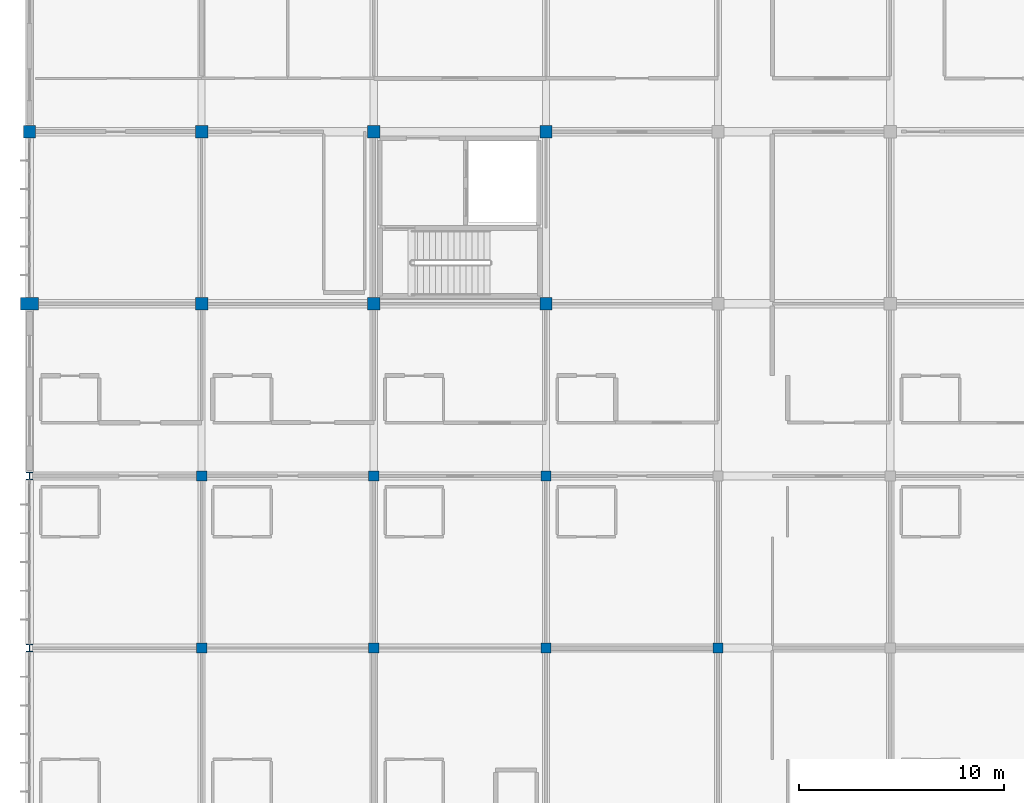
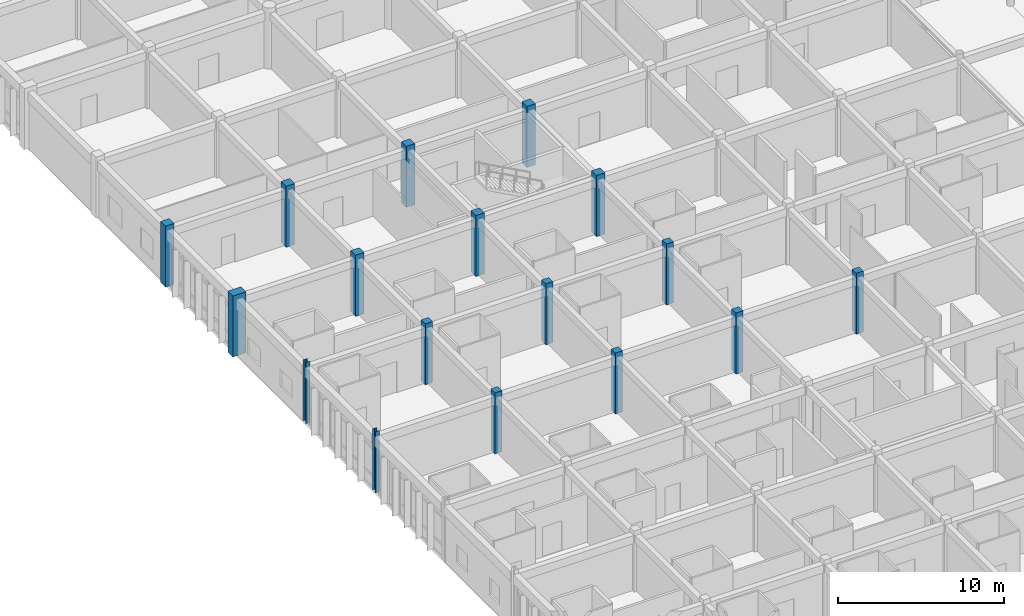
# One storey, part 3 of 144: 17 columns.
"""IFC4 building model written with IfcOpenShell, lengths in metres."""

from ifc_helpers import new_model, si_unit, direction, frame, origin, origin_2d, place, context, subcontext, project, spatial, rectangle, i_section, extrude, material, material_profile, profile_set, type_object, element, save


model = new_model("IFC4")

# Units and contexts
model_context = context("Model", 3, precision=1e-05, world=origin(), true_north=direction((0.0, 1.0)))
body_context = subcontext(model_context, "Body", "Model", "MODEL_VIEW")
ifc_project = project(units=[si_unit("LENGTHUNIT", "METRE"), si_unit("AREAUNIT", "SQUARE_METRE"), si_unit("VOLUMEUNIT", "CUBIC_METRE"), si_unit("PLANEANGLEUNIT", "RADIAN"), si_unit("MASSUNIT", "GRAM", prefix="KILO")], contexts=[model_context])

# Site, building, storey
site_placement = place(None, origin())
site = spatial("IfcSite", under=ifc_project, at=site_placement, CompositionType="ELEMENT")
building_placement = place(site_placement, origin())
building = spatial("IfcBuilding", under=site, at=building_placement, Name="Bramfleet General Hospital", CompositionType="ELEMENT")
storey_placement = place(building_placement, frame((0.0, 0.0, 4.800048828125)))
storey = spatial("IfcBuildingStorey", under=building, at=storey_placement, Name="L01", CompositionType="ELEMENT", Elevation=4.800048828125)

# Columns
ifc_material_1 = material(Name="Steel S355", Category="steel")
ifc_material_profile_1 = material_profile(ifc_material_1, i_section(OverallWidth=0.300048828125, OverallDepth=0.360107421875, WebThickness=0.012451171875, FlangeThickness=0.0224609375, FilletRadius=0.027099609375, at=origin_2d()), Name="HEB 360")
ifc_profile_set_1 = profile_set([ifc_material_profile_1], Name="Steel S355")
column_type_1 = type_object("IfcColumnType", Name="COL-HEB360", PredefinedType="COLUMN", material=ifc_profile_set_1)
for number, where, z_axis, x_axis, name in (
    (1, (0.0, 33.60009765625, 0.0), (0.0, 0.0, 1.0), (1.0, 0.0, 0.0), "Column COL-L01-00-04"),
    (2, (0.0, 42.0, 0.0), (0.0, 0.0, 1.0), (1.0, 0.0, 0.0), "Column COL-L01-00-05"),
):
    element("IfcColumn", number, at=place(storey_placement, frame(where, z_axis=z_axis, x_axis=x_axis)), inside=storey, type_object=column_type_1, Name=name, PredefinedType="COLUMN", context=body_context, shape_type="SweptSolid", body=[
        extrude(i_section(OverallWidth=0.300048828125, OverallDepth=0.360107421875, WebThickness=0.012451171875, FlangeThickness=0.0224609375, FilletRadius=0.027099609375, at=origin_2d()), origin(), (0.0, 0.0, 1.0), 4.5),
    ])
ifc_material_2 = material(Name="Concrete C40/50", Category="concrete")
ifc_material_profile_2 = material_profile(ifc_material_2, rectangle(XDim=0.60009765625, YDim=0.89990234375, at=origin_2d()), Name="RC PIL 900x600")
ifc_profile_set_2 = profile_set([ifc_material_profile_2], Name="Concrete C40/50")
column_type_2 = type_object("IfcColumnType", Name="COL-PIL900", PredefinedType="PILASTER", material=ifc_profile_set_2)
column_placement = place(storey_placement, frame((0.0, 50.39990234375, 0.0), z_axis=(0.0, 0.0, 1.0), x_axis=(0.0, 1.0, 0.0)))
element("IfcColumn", 3, at=column_placement, inside=storey, type_object=column_type_2, Name="Column COL-L01-00-06", PredefinedType="PILASTER", context=body_context, shape_type="SweptSolid", body=[
    extrude(rectangle(XDim=0.60009765625, YDim=0.89990234375, at=origin_2d()), origin(), (0.0, 0.0, 1.0), 4.5),
])
ifc_material_profile_3 = material_profile(ifc_material_2, rectangle(XDim=0.5, YDim=0.5, at=origin_2d()), Name="RC COL 500x500")
ifc_profile_set_3 = profile_set([ifc_material_profile_3], Name="Concrete C40/50")
column_type_3 = type_object("IfcColumnType", Name="COL-RC500", PredefinedType="COLUMN", material=ifc_profile_set_3)
for number, where, z_axis, x_axis, name in (
    (4, (8.39990234375, 33.60009765625, 0.0), (0.0, 0.0, 1.0), (1.0, 0.0, 0.0), "Column COL-L01-01-04"),
    (5, (8.39990234375, 42.0, 0.0), (0.0, 0.0, 1.0), (1.0, 0.0, 0.0), "Column COL-L01-01-05"),
    (6, (16.800048828125, 33.60009765625, 0.0), (0.0, 0.0, 1.0), (1.0, 0.0, 0.0), "Column COL-L01-02-04"),
    (7, (16.800048828125, 42.0, 0.0), (0.0, 0.0, 1.0), (1.0, 0.0, 0.0), "Column COL-L01-02-05"),
    (8, (25.199951171875, 33.60009765625, 0.0), (0.0, 0.0, 1.0), (1.0, 0.0, 0.0), "Column COL-L01-03-04"),
    (9, (25.199951171875, 42.0, 0.0), (0.0, 0.0, 1.0), (1.0, 0.0, 0.0), "Column COL-L01-03-05"),
    (10, (33.60009765625, 33.60009765625, 0.0), (0.0, 0.0, 1.0), (1.0, 0.0, 0.0), "Column COL-L01-04-04"),
):
    element("IfcColumn", number, at=place(storey_placement, frame(where, z_axis=z_axis, x_axis=x_axis)), inside=storey, type_object=column_type_3, Name=name, PredefinedType="COLUMN", context=body_context, shape_type="SweptSolid", body=[
        extrude(rectangle(XDim=0.5, YDim=0.5, at=origin_2d()), origin(), (0.0, 0.0, 1.0), 4.5),
    ])
ifc_material_profile_4 = material_profile(ifc_material_2, rectangle(XDim=0.60009765625, YDim=0.60009765625, at=origin_2d()), Name="RC COL 600x600")
ifc_profile_set_4 = profile_set([ifc_material_profile_4], Name="Concrete C40/50")
column_type_4 = type_object("IfcColumnType", Name="COL-RC600", PredefinedType="COLUMN", material=ifc_profile_set_4)
for number, where, z_axis, x_axis, name in (
    (11, (0.0, 58.800048828125, 0.0), (0.0, 0.0, 1.0), (1.0, 0.0, 0.0), "Column COL-L01-00-07"),
    (12, (8.39990234375, 50.39990234375, 0.0), (0.0, 0.0, 1.0), (1.0, 0.0, 0.0), "Column COL-L01-01-06"),
    (13, (8.39990234375, 58.800048828125, 0.0), (0.0, 0.0, 1.0), (1.0, 0.0, 0.0), "Column COL-L01-01-07"),
    (14, (16.800048828125, 50.39990234375, 0.0), (0.0, 0.0, 1.0), (1.0, 0.0, 0.0), "Column COL-L01-02-06"),
    (15, (16.800048828125, 58.800048828125, 0.0), (0.0, 0.0, 1.0), (1.0, 0.0, 0.0), "Column COL-L01-02-07"),
    (16, (25.199951171875, 50.39990234375, 0.0), (0.0, 0.0, 1.0), (1.0, 0.0, 0.0), "Column COL-L01-03-06"),
    (17, (25.199951171875, 58.800048828125, 0.0), (0.0, 0.0, 1.0), (1.0, 0.0, 0.0), "Column COL-L01-03-07"),
):
    element("IfcColumn", number, at=place(storey_placement, frame(where, z_axis=z_axis, x_axis=x_axis)), inside=storey, type_object=column_type_4, Name=name, PredefinedType="COLUMN", context=body_context, shape_type="SweptSolid", body=[
        extrude(rectangle(XDim=0.60009765625, YDim=0.60009765625, at=origin_2d()), origin(), (0.0, 0.0, 1.0), 4.5),
    ])

save(model, "model.ifc")
